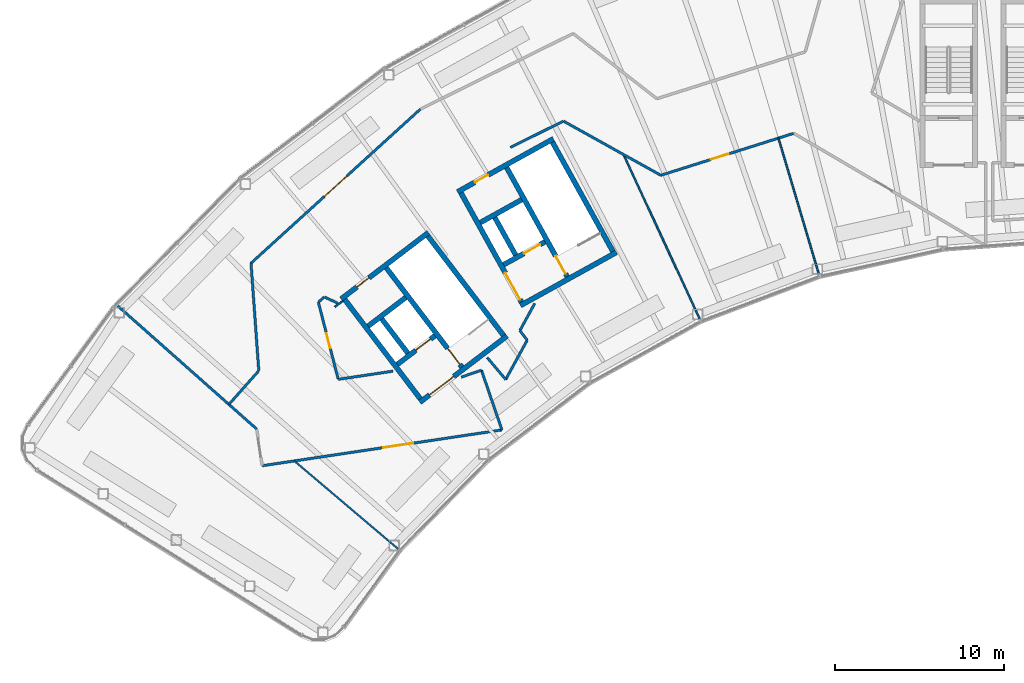
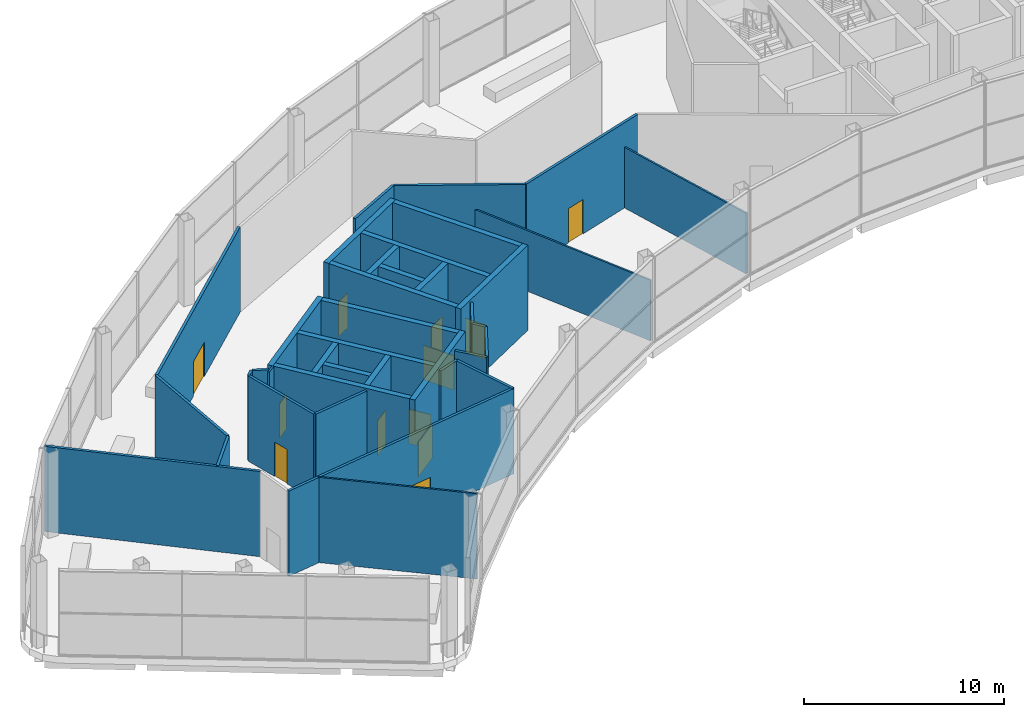
# One storey, part 37 of 44: 38 walls, 12 doors, 12 openings.
"""IFC4 building model written with IfcOpenShell, lengths in metres."""

from ifc_helpers import new_model, si_unit, direction, frame, frame_2d, origin, place, context, subcontext, project, spatial, rectangle, extrude, material, layer, layer_set, type_object, element, fill, save


model = new_model("IFC4")

# Units and contexts
model_context = context("Model", 3, precision=1e-05, world=origin(), true_north=direction((0.0, 1.0)))
body_context = subcontext(model_context, "Body", "Model", "MODEL_VIEW")
ifc_project = project(units=[si_unit("LENGTHUNIT", "METRE"), si_unit("AREAUNIT", "SQUARE_METRE"), si_unit("VOLUMEUNIT", "CUBIC_METRE"), si_unit("PLANEANGLEUNIT", "RADIAN"), si_unit("MASSUNIT", "GRAM", prefix="KILO")], contexts=[model_context])

# Site, building, storey
site_placement = place(None, origin())
site = spatial("IfcSite", under=ifc_project, at=site_placement, CompositionType="ELEMENT")
building_placement = place(site_placement, origin())
building = spatial("IfcBuilding", under=site, at=building_placement, Name="Tuul Gate Civic Tower", CompositionType="ELEMENT")
storey_placement = place(building_placement, frame((0.0, 0.0, 354.60009765625)))
storey = spatial("IfcBuildingStorey", under=building, at=storey_placement, Name="Observation level 2", CompositionType="ELEMENT", Elevation=354.60009765625)

# Wall, opening, door
ifc_material_1 = material(Name="Concrete C50/60", Category="concrete")
ifc_layer_1 = layer(ifc_material_1, 0.300048828125)
ifc_layer_set_1 = layer_set([ifc_layer_1], Name="Concrete C50/60")
wall_type_1 = type_object("IfcWallType", Name="Core wall C50/60", PredefinedType="SHEAR", material=ifc_layer_set_1)
wall_1_placement = place(storey_placement, frame((-31.19091796875, -13.669677734375, 0.0), z_axis=(0.0, 0.0, 1.0), x_axis=(-0.795606717756, -0.605813461934, 0.0)))
wall_1 = element("IfcWall", 1, at=wall_1_placement, inside=storey, type_object=wall_type_1, Name="Core wall", PredefinedType="SHEAR", context=body_context, shape_type="SweptSolid", body=[
    extrude(rectangle(XDim=6.5, YDim=0.300048828125, at=frame_2d((3.25, 0.0))), origin(), (0.0, 0.0, 1.0), 5.199951171875),
])
opening_1_placement = place(wall_1_placement, frame((3.97509765625, 0.0, 0.0)))
opening_1 = element("IfcOpeningElement", 2, at=opening_1_placement, cuts=wall_1, Name="Opening LB-W1-LOBBY-1", PredefinedType="OPENING", context=body_context, shape_type="SweptSolid", body=[
    extrude(rectangle(XDim=1.800048828125, YDim=2.10009765625, at=frame_2d((0.89990234375, 1.050048828125))), frame((0.0, 0.16015625, 0.0), z_axis=(0.0, -1.0, 0.0), x_axis=(1.0, 0.0, 0.0)), (0.0, 0.0, 1.0), 0.320068359375),
])
ifc_material_2 = material(Name="Steel", Category="steel")
door_type_1 = type_object("IfcDoorType", Name="Lobby door", OperationType="DOUBLE_DOOR_SINGLE_SWING", PredefinedType="DOOR", material=ifc_material_2)
door_1_placement = place(opening_1_placement, origin())
door_1 = element("IfcDoor", 3, at=door_1_placement, inside=storey, type_object=door_type_1, Name="Lobby door W1-LOBBY", OperationType="DOUBLE_DOOR_SINGLE_SWING", OverallHeight=2.10009765625, OverallWidth=1.800048828125, PredefinedType="DOOR", context=body_context, shape_type="SweptSolid", body=[
    extrude(rectangle(XDim=1.800048828125, YDim=2.10009765625, at=frame_2d((0.89990234375, 1.050048828125))), frame((0.0, 0.02490234375, 0.0), z_axis=(0.0, -1.0, 0.0), x_axis=(1.0, 0.0, 0.0)), (0.0, 0.0, 1.0), 0.050048828125),
])
fill(opening_1, door_1)

wall_2_placement = place(storey_placement, frame((-35.470947265625, -13.66064453125, 0.0), z_axis=(0.0, 0.0, 1.0), x_axis=(-0.795615822227, -0.605801504968, 0.0)))
wall_2 = element("IfcWall", 4, at=wall_2_placement, inside=storey, type_object=wall_type_1, Name="Core wall", PredefinedType="SHEAR", context=body_context, shape_type="SweptSolid", body=[
    extrude(rectangle(XDim=2.800048828125, YDim=0.300048828125, at=frame_2d((1.39990234375, 0.0))), origin(), (0.0, 0.0, 1.0), 5.199951171875),
])
opening_2_placement = place(wall_2_placement, frame((0.324951171875, 0.0, 0.0)))
opening_2 = element("IfcOpeningElement", 5, at=opening_2_placement, cuts=wall_2, Name="Opening LD-H1", PredefinedType="OPENING", context=body_context, shape_type="SweptSolid", body=[
    extrude(rectangle(XDim=1.10009765625, YDim=2.10009765625, at=frame_2d((0.550048828125, 1.050048828125))), frame((0.0, 0.16015625, 0.0), z_axis=(0.0, -1.0, 0.0), x_axis=(1.0, 0.0, 0.0)), (0.0, 0.0, 1.0), 0.320068359375),
])
ifc_material_3 = material(Name="Stainless steel", Category="steel")
door_type_2 = type_object("IfcDoorType", Name="Landing door", OperationType="DOUBLE_DOOR_SLIDING", PredefinedType="DOOR", material=ifc_material_3)
door_2_placement = place(opening_2_placement, origin())
door_2 = element("IfcDoor", 6, at=door_2_placement, inside=storey, type_object=door_type_2, Name="High-rise lift H1 landing door", OperationType="DOUBLE_DOOR_SLIDING", OverallHeight=2.10009765625, OverallWidth=1.10009765625, PredefinedType="DOOR", context=body_context, shape_type="SweptSolid", body=[
    extrude(rectangle(XDim=1.10009765625, YDim=2.10009765625, at=frame_2d((0.550048828125, 1.050048828125))), frame((0.0, 0.02490234375, 0.0), z_axis=(0.0, -1.0, 0.0), x_axis=(1.0, 0.0, 0.0)), (0.0, 0.0, 1.0), 0.050048828125),
])
fill(opening_2, door_2)

# Wall
wall_3_placement = place(storey_placement, frame((-37.197509765625, -11.39306640625, 0.0), z_axis=(0.0, 0.0, 1.0), x_axis=(-0.795583820278, -0.605843531707, 0.0)))
element("IfcWall", 7, at=wall_3_placement, inside=storey, type_object=wall_type_1, Name="Core wall", PredefinedType="SHEAR", context=body_context, shape_type="SweptSolid", body=[
    extrude(rectangle(XDim=2.7998046875, YDim=0.300048828125, at=frame_2d((1.39990234375, 0.0))), origin(), (0.0, 0.0, 1.0), 5.199951171875),
])

# Wall, opening, door
wall_4_placement = place(storey_placement, frame((-35.855224609375, -7.543212890625, 0.0), z_axis=(0.0, 0.0, 1.0), x_axis=(-0.79563860527, -0.605771582202, 0.0)))
wall_4 = element("IfcWall", 8, at=wall_4_placement, inside=storey, type_object=wall_type_1, Name="Core wall", PredefinedType="SHEAR", context=body_context, shape_type="SweptSolid", body=[
    extrude(rectangle(XDim=6.5, YDim=0.300048828125, at=frame_2d((3.25, 0.0))), origin(), (0.0, 0.0, 1.0), 5.199951171875),
])
opening_3_placement = place(wall_4_placement, frame((4.425048828125, 0.0, 0.0)))
opening_3 = element("IfcOpeningElement", 9, at=opening_3_placement, cuts=wall_4, Name="Opening AE-D14", PredefinedType="OPENING", context=body_context, shape_type="SweptSolid", body=[
    extrude(rectangle(XDim=0.89990234375, YDim=2.10009765625, at=frame_2d((0.449951171875, 1.050048828125))), frame((0.0, 0.16015625, 0.0), z_axis=(0.0, -1.0, 0.0), x_axis=(1.0, 0.0, 0.0)), (0.0, 0.0, 1.0), 0.320068359375),
])
ifc_material_4 = material(Name="Timber door leaf", Category="wood")
door_type_3 = type_object("IfcDoorType", Name="Door D09", OperationType="NOTDEFINED", PredefinedType="DOOR", material=ifc_material_4)
door_3_placement = place(opening_3_placement, origin())
door_3 = element("IfcDoor", 10, at=door_3_placement, inside=storey, type_object=door_type_3, Name="Door AE-D14", OperationType="SINGLE_SWING_RIGHT", OverallHeight=2.10009765625, OverallWidth=0.89990234375, PredefinedType="DOOR", context=body_context, shape_type="SweptSolid", body=[
    extrude(rectangle(XDim=0.89990234375, YDim=2.10009765625, at=frame_2d((0.449951171875, 1.050048828125))), frame((0.0, 0.02490234375, 0.0), z_axis=(0.0, -1.0, 0.0), x_axis=(1.0, 0.0, 0.0)), (0.0, 0.0, 1.0), 0.050048828125),
])
fill(opening_3, door_3)

# Wall
wall_5_placement = place(storey_placement, frame((-31.401123046875, -13.64111328125, 0.0), z_axis=(0.0, 0.0, 1.0), x_axis=(-0.605769822278, 0.795639945213, 0.0)))
element("IfcWall", 11, at=wall_5_placement, inside=storey, type_object=wall_type_1, Name="Core wall", PredefinedType="SHEAR", context=body_context, shape_type="SweptSolid", body=[
    extrude(rectangle(XDim=7.39990234375, YDim=0.300048828125, at=frame_2d((3.699951171875, 0.0))), origin(), (0.0, 0.0, 1.0), 5.199951171875),
])

# Wall, opening, door
wall_6_placement = place(storey_placement, frame((-33.867431640625, -15.51904296875, 0.0), z_axis=(0.0, 0.0, 1.0), x_axis=(-0.605769822278, 0.795639945213, 0.0)))
wall_6 = element("IfcWall", 12, at=wall_6_placement, inside=storey, type_object=wall_type_1, Name="Core wall", PredefinedType="SHEAR", context=body_context, shape_type="SweptSolid", body=[
    extrude(rectangle(XDim=7.39990234375, YDim=0.300048828125, at=frame_2d((3.699951171875, 0.0))), origin(), (0.0, 0.0, 1.0), 5.199951171875),
])
opening_4_placement = place(wall_6_placement, frame((0.199951171875, 0.0, 0.0)))
opening_4 = element("IfcOpeningElement", 13, at=opening_4_placement, cuts=wall_6, Name="Opening SD-ST-1", PredefinedType="OPENING", context=body_context, shape_type="SweptSolid", body=[
    extrude(rectangle(XDim=1.199951171875, YDim=2.10009765625, at=frame_2d((0.60009765625, 1.050048828125))), frame((0.0, 0.16015625, 0.0), z_axis=(0.0, -1.0, 0.0), x_axis=(1.0, 0.0, 0.0)), (0.0, 0.0, 1.0), 0.320068359375),
])
ifc_material_5 = material(Name="Steel", Category="steel")
door_type_4 = type_object("IfcDoorType", Name="Stair door", OperationType="NOTDEFINED", PredefinedType="DOOR", material=ifc_material_5)
door_4_placement = place(opening_4_placement, frame((1.199951171875, 0.0, 0.0), z_axis=(0.0, 0.0, 1.0), x_axis=(-1.0, 0.0, 0.0)))
door_4 = element("IfcDoor", 14, at=door_4_placement, inside=storey, type_object=door_type_4, Name="Stair door ST-1", OperationType="SINGLE_SWING_RIGHT", OverallHeight=2.10009765625, OverallWidth=1.199951171875, PredefinedType="DOOR", context=body_context, shape_type="SweptSolid", body=[
    extrude(rectangle(XDim=1.199951171875, YDim=2.10009765625, at=frame_2d((0.599853515625, 1.050048828125))), frame((0.0, 0.02490234375, 0.0), z_axis=(0.0, -1.0, 0.0), x_axis=(1.0, 0.0, 0.0)), (0.0, 0.0, 1.0), 0.050048828125),
])
fill(opening_4, door_4)

# Walls
wall_7_placement = place(storey_placement, frame((-37.073486328125, -14.6923828125, 0.0), z_axis=(0.0, 0.0, 1.0), x_axis=(-0.605728760074, 0.79567120673, 0.0)))
element("IfcWall", 15, at=wall_7_placement, inside=storey, type_object=wall_type_1, Name="Core wall", PredefinedType="SHEAR", context=body_context, shape_type="SweptSolid", body=[
    extrude(rectangle(XDim=2.550048828125, YDim=0.300048828125, at=frame_2d((1.27490234375, 0.0))), origin(), (0.0, 0.0, 1.0), 5.199951171875),
])
wall_8_placement = place(storey_placement, frame((-36.333984375, -17.397216796875, 0.0), z_axis=(0.0, 0.0, 1.0), x_axis=(-0.605753921168, 0.795652051458, 0.0)))
element("IfcWall", 16, at=wall_8_placement, inside=storey, type_object=wall_type_1, Name="Core wall", PredefinedType="SHEAR", context=body_context, shape_type="SweptSolid", body=[
    extrude(rectangle(XDim=7.400146484375, YDim=0.300048828125, at=frame_2d((3.7001953125, 0.0))), origin(), (0.0, 0.0, 1.0), 5.199951171875),
])
wall_9_placement = place(storey_placement, frame((-24.711669921875, -8.7158203125, 0.0), z_axis=(0.0, 0.0, 1.0), x_axis=(-0.874629909008, -0.484791215132, 0.0)))
element("IfcWall", 17, at=wall_9_placement, inside=storey, type_object=wall_type_1, Name="Core wall", PredefinedType="SHEAR", context=body_context, shape_type="SweptSolid", body=[
    extrude(rectangle(XDim=6.5, YDim=0.300048828125, at=frame_2d((3.25, 0.0))), origin(), (0.0, 0.0, 1.0), 5.199951171875),
])

# Wall, opening, door
wall_10_placement = place(storey_placement, frame((-28.94580078125, -8.090087890625, 0.0), z_axis=(0.0, 0.0, 1.0), x_axis=(-0.874629840737, -0.484791338301, 0.0)))
wall_10 = element("IfcWall", 18, at=wall_10_placement, inside=storey, type_object=wall_type_1, Name="Core wall", PredefinedType="SHEAR", context=body_context, shape_type="SweptSolid", body=[
    extrude(rectangle(XDim=2.800048828125, YDim=0.300048828125, at=frame_2d((1.39990234375, 0.0))), origin(), (0.0, 0.0, 1.0), 5.199951171875),
])
opening_5_placement = place(wall_10_placement, frame((0.324951171875, 0.0, 0.0)))
opening_5 = element("IfcOpeningElement", 19, at=opening_5_placement, cuts=wall_10, Name="Opening LD-FF-1", PredefinedType="OPENING", context=body_context, shape_type="SweptSolid", body=[
    extrude(rectangle(XDim=1.10009765625, YDim=2.10009765625, at=frame_2d((0.550048828125, 1.050048828125))), frame((0.0, 0.16015625, 0.0), z_axis=(0.0, -1.0, 0.0), x_axis=(1.0, 0.0, 0.0)), (0.0, 0.0, 1.0), 0.320068359375),
])
door_5_placement = place(opening_5_placement, origin())
door_5 = element("IfcDoor", 20, at=door_5_placement, inside=storey, type_object=door_type_2, Name="Fire-fighting lift FF-1 landing door", OperationType="DOUBLE_DOOR_SLIDING", OverallHeight=2.10009765625, OverallWidth=1.10009765625, PredefinedType="DOOR", context=body_context, shape_type="SweptSolid", body=[
    extrude(rectangle(XDim=1.10009765625, YDim=2.10009765625, at=frame_2d((0.550048828125, 1.050048828125))), frame((0.0, 0.02490234375, 0.0), z_axis=(0.0, -1.0, 0.0), x_axis=(1.0, 0.0, 0.0)), (0.0, 0.0, 1.0), 0.050048828125),
])
fill(opening_5, door_5)

# Wall
wall_11_placement = place(storey_placement, frame((-30.327392578125, -5.59716796875, 0.0), z_axis=(0.0, 0.0, 1.0), x_axis=(-0.874629840737, -0.484791338301, 0.0)))
element("IfcWall", 21, at=wall_11_placement, inside=storey, type_object=wall_type_1, Name="Core wall", PredefinedType="SHEAR", context=body_context, shape_type="SweptSolid", body=[
    extrude(rectangle(XDim=2.800048828125, YDim=0.300048828125, at=frame_2d((1.39990234375, 0.0))), origin(), (0.0, 0.0, 1.0), 5.199951171875),
])

# Wall, opening, door
wall_12_placement = place(storey_placement, frame((-28.4443359375, -1.98095703125, 0.0), z_axis=(0.0, 0.0, 1.0), x_axis=(-0.874629909008, -0.484791215132, 0.0)))
wall_12 = element("IfcWall", 22, at=wall_12_placement, inside=storey, type_object=wall_type_1, Name="Core wall", PredefinedType="SHEAR", context=body_context, shape_type="SweptSolid", body=[
    extrude(rectangle(XDim=6.5, YDim=0.300048828125, at=frame_2d((3.25, 0.0))), origin(), (0.0, 0.0, 1.0), 5.199951171875),
])
opening_6_placement = place(wall_12_placement, frame((4.425048828125, 0.0, 0.0)))
opening_6 = element("IfcOpeningElement", 23, at=opening_6_placement, cuts=wall_12, Name="Opening AE-D15", PredefinedType="OPENING", context=body_context, shape_type="SweptSolid", body=[
    extrude(rectangle(XDim=0.89990234375, YDim=2.10009765625, at=frame_2d((0.449951171875, 1.050048828125))), frame((0.0, 0.16015625, 0.0), z_axis=(0.0, -1.0, 0.0), x_axis=(1.0, 0.0, 0.0)), (0.0, 0.0, 1.0), 0.320068359375),
])
door_6_placement = place(opening_6_placement, origin())
door_6 = element("IfcDoor", 24, at=door_6_placement, inside=storey, type_object=door_type_3, Name="Door AE-D15", OperationType="SINGLE_SWING_LEFT", OverallHeight=2.10009765625, OverallWidth=0.89990234375, PredefinedType="DOOR", context=body_context, shape_type="SweptSolid", body=[
    extrude(rectangle(XDim=0.89990234375, YDim=2.10009765625, at=frame_2d((0.449951171875, 1.050048828125))), frame((0.0, 0.02490234375, 0.0), z_axis=(0.0, -1.0, 0.0), x_axis=(1.0, 0.0, 0.0)), (0.0, 0.0, 1.0), 0.050048828125),
])
fill(opening_6, door_6)

# Wall
wall_13_placement = place(storey_placement, frame((-24.91552734375, -8.6572265625, 0.0), z_axis=(0.0, 0.0, 1.0), x_axis=(-0.484777133038, 0.874637714304, 0.0)))
element("IfcWall", 25, at=wall_13_placement, inside=storey, type_object=wall_type_1, Name="Core wall", PredefinedType="SHEAR", context=body_context, shape_type="SweptSolid", body=[
    extrude(rectangle(XDim=7.400146484375, YDim=0.300048828125, at=frame_2d((3.7001953125, 0.0))), origin(), (0.0, 0.0, 1.0), 5.199951171875),
])

# Wall, opening, door
wall_14_placement = place(storey_placement, frame((-27.626953125, -10.16015625, 0.0), z_axis=(0.0, 0.0, 1.0), x_axis=(-0.484751894226, 0.874651702704, 0.0)))
wall_14 = element("IfcWall", 26, at=wall_14_placement, inside=storey, type_object=wall_type_1, Name="Core wall", PredefinedType="SHEAR", context=body_context, shape_type="SweptSolid", body=[
    extrude(rectangle(XDim=7.39990234375, YDim=0.300048828125, at=frame_2d((3.699951171875, 0.0))), origin(), (0.0, 0.0, 1.0), 5.199951171875),
])
opening_7_placement = place(wall_14_placement, frame((0.199951171875, 0.0, 0.0)))
opening_7 = element("IfcOpeningElement", 27, at=opening_7_placement, cuts=wall_14, Name="Opening SD-ST-2", PredefinedType="OPENING", context=body_context, shape_type="SweptSolid", body=[
    extrude(rectangle(XDim=1.199951171875, YDim=2.10009765625, at=frame_2d((0.60009765625, 1.050048828125))), frame((0.0, 0.16015625, 0.0), z_axis=(0.0, -1.0, 0.0), x_axis=(1.0, 0.0, 0.0)), (0.0, 0.0, 1.0), 0.320068359375),
])
door_7_placement = place(opening_7_placement, frame((1.199951171875, 0.0, 0.0), z_axis=(0.0, 0.0, 1.0), x_axis=(-1.0, 0.0, 0.0)))
door_7 = element("IfcDoor", 28, at=door_7_placement, inside=storey, type_object=door_type_4, Name="Stair door ST-2", OperationType="SINGLE_SWING_RIGHT", OverallHeight=2.10009765625, OverallWidth=1.199951171875, PredefinedType="DOOR", context=body_context, shape_type="SweptSolid", body=[
    extrude(rectangle(XDim=1.199951171875, YDim=2.10009765625, at=frame_2d((0.599853515625, 1.050048828125))), frame((0.0, 0.02490234375, 0.0), z_axis=(0.0, -1.0, 0.0), x_axis=(1.0, 0.0, 0.0)), (0.0, 0.0, 1.0), 0.050048828125),
])
fill(opening_7, door_7)

# Wall
wall_15_placement = place(storey_placement, frame((-30.680419921875, -8.8798828125, 0.0), z_axis=(0.0, 0.0, 1.0), x_axis=(-0.484724115216, 0.874667097888, 0.0)))
element("IfcWall", 29, at=wall_15_placement, inside=storey, type_object=wall_type_1, Name="Core wall", PredefinedType="SHEAR", context=body_context, shape_type="SweptSolid", body=[
    extrude(rectangle(XDim=2.550048828125, YDim=0.300048828125, at=frame_2d((1.27490234375, 0.0))), origin(), (0.0, 0.0, 1.0), 5.199951171875),
])

# Wall, opening, door
wall_16_placement = place(storey_placement, frame((-30.33837890625, -11.6630859375, 0.0), z_axis=(0.0, 0.0, 1.0), x_axis=(-0.484751894226, 0.874651702704, 0.0)))
wall_16 = element("IfcWall", 30, at=wall_16_placement, inside=storey, type_object=wall_type_1, Name="Core wall", PredefinedType="SHEAR", context=body_context, shape_type="SweptSolid", body=[
    extrude(rectangle(XDim=7.39990234375, YDim=0.300048828125, at=frame_2d((3.699951171875, 0.0))), origin(), (0.0, 0.0, 1.0), 5.199951171875),
])
opening_8_placement = place(wall_16_placement, frame((0.175048828125, 0.0, 0.0)))
opening_8 = element("IfcOpeningElement", 31, at=opening_8_placement, cuts=wall_16, Name="Opening LB-W2-FLOBBY-1", PredefinedType="OPENING", context=body_context, shape_type="SweptSolid", body=[
    extrude(rectangle(XDim=1.800048828125, YDim=2.10009765625, at=frame_2d((0.89990234375, 1.050048828125))), frame((0.0, 0.16015625, 0.0), z_axis=(0.0, -1.0, 0.0), x_axis=(1.0, 0.0, 0.0)), (0.0, 0.0, 1.0), 0.320068359375),
])
door_8_placement = place(opening_8_placement, frame((1.800048828125, 0.0, 0.0), z_axis=(0.0, 0.0, 1.0), x_axis=(-1.0, 0.0, 0.0)))
door_8 = element("IfcDoor", 32, at=door_8_placement, inside=storey, type_object=door_type_1, Name="Lobby door W2-FLOBBY", OperationType="DOUBLE_DOOR_SINGLE_SWING", OverallHeight=2.10009765625, OverallWidth=1.800048828125, PredefinedType="DOOR", context=body_context, shape_type="SweptSolid", body=[
    extrude(rectangle(XDim=1.800048828125, YDim=2.10009765625, at=frame_2d((0.900146484375, 1.050048828125))), frame((0.0, 0.02490234375, 0.0), z_axis=(0.0, -1.0, 0.0), x_axis=(1.0, 0.0, 0.0)), (0.0, 0.0, 1.0), 0.050048828125),
])
fill(opening_8, door_8)

ifc_material_6 = material(Name="Gypsum board partition")
ifc_layer_2 = layer(ifc_material_6, 0.14990234375)
ifc_layer_set_2 = layer_set([ifc_layer_2], Name="Gypsum board partition")
wall_type_2 = type_object("IfcWallType", Name="Corridor wall P150", PredefinedType="PARTITIONING", material=ifc_layer_set_2)
wall_17_placement = place(storey_placement, frame((-46.37060546875, -9.356689453125, 0.0), z_axis=(0.0, 0.0, 1.0), x_axis=(0.739735592783, 0.672897654008, 0.0)))
wall_17 = element("IfcWall", 33, at=wall_17_placement, inside=storey, type_object=wall_type_2, Name="p028", PredefinedType="PARTITIONING", context=body_context, shape_type="SweptSolid", body=[
    extrude(rectangle(XDim=13.5625, YDim=0.14990234375, at=frame_2d((6.78125, 0.0))), origin(), (0.0, 0.0, 1.0), 5.199951171875),
])
opening_9_placement = place(wall_17_placement, frame((5.88134765625, 0.0, 0.0)))
opening_9 = element("IfcOpeningElement", 34, at=opening_9_placement, cuts=wall_17, Name="Opening AE-D04", PredefinedType="OPENING", context=body_context, shape_type="SweptSolid", body=[
    extrude(rectangle(XDim=1.800048828125, YDim=2.10009765625, at=frame_2d((0.89990234375, 1.050048828125))), frame((0.0, 0.0849609375, 0.0), z_axis=(0.0, -1.0, 0.0), x_axis=(1.0, 0.0, 0.0)), (0.0, 0.0, 1.0), 0.169921875),
])
ifc_material_7 = material(Name="Timber door leaf, double", Category="wood")
door_type_5 = type_object("IfcDoorType", Name="Door D18", OperationType="DOUBLE_DOOR_SINGLE_SWING", PredefinedType="DOOR", material=ifc_material_7)
door_9_placement = place(opening_9_placement, origin())
door_9 = element("IfcDoor", 35, at=door_9_placement, inside=storey, type_object=door_type_5, Name="Door AE-D04", OperationType="DOUBLE_DOOR_SINGLE_SWING", OverallHeight=2.10009765625, OverallWidth=1.800048828125, PredefinedType="DOOR", context=body_context, shape_type="SweptSolid", body=[
    extrude(rectangle(XDim=1.800048828125, YDim=2.10009765625, at=frame_2d((0.89990234375, 1.050048828125))), frame((0.0, 0.02490234375, 0.0), z_axis=(0.0, -1.0, 0.0), x_axis=(1.0, 0.0, 0.0)), (0.0, 0.0, 1.0), 0.050048828125),
])
fill(opening_9, door_9)

# Walls
wall_18_placement = place(storey_placement, frame((-46.37109375, -9.358154296875, 0.0), z_axis=(0.0, 0.0, 1.0), x_axis=(0.071877389365, -0.997413475394, 0.0)))
element("IfcWall", 36, at=wall_18_placement, inside=storey, type_object=wall_type_2, Name="p029", PredefinedType="PARTITIONING", context=body_context, shape_type="SweptSolid", body=[
    extrude(rectangle(XDim=6.3857421875, YDim=0.14990234375, at=frame_2d((3.19287109375, 0.0))), origin(), (0.0, 0.0, 1.0), 5.199951171875),
])
wall_19_placement = place(storey_placement, frame((-47.6806640625, -17.73291015625, 0.0), z_axis=(0.0, 0.0, 1.0), x_axis=(0.663166084863, 0.748472273292, 0.0)))
element("IfcWall", 37, at=wall_19_placement, inside=storey, type_object=wall_type_2, Name="p030", PredefinedType="PARTITIONING", context=body_context, shape_type="SweptSolid", body=[
    extrude(rectangle(XDim=2.65869140625, YDim=0.14990234375, at=frame_2d((1.329345703125, 0.0))), origin(), (0.0, 0.0, 1.0), 5.199951171875),
])
wall_20_placement = place(storey_placement, frame((-54.2724609375, -11.8935546875, 0.0), z_axis=(0.0, 0.0, 1.0), x_axis=(0.748484626915, -0.663152141874, 0.0)))
element("IfcWall", 38, at=wall_20_placement, inside=storey, type_object=wall_type_2, Name="p031", PredefinedType="PARTITIONING", context=body_context, shape_type="SweptSolid", body=[
    extrude(rectangle(XDim=11.000732421875, YDim=0.14990234375, at=frame_2d((5.50048828125, 0.0))), origin(), (0.0, 0.0, 1.0), 5.199951171875),
])

# Wall, opening, door
wall_21_placement = place(storey_placement, frame((-45.70849609375, -21.367919921875, 0.0), z_axis=(0.0, 0.0, 1.0), x_axis=(0.989009132058, 0.147854444324, 0.0)))
wall_21 = element("IfcWall", 39, at=wall_21_placement, inside=storey, type_object=wall_type_2, Name="p034", PredefinedType="PARTITIONING", context=body_context, shape_type="SweptSolid", body=[
    extrude(rectangle(XDim=14.37060546875, YDim=0.14990234375, at=frame_2d((7.185302734375, 0.0))), origin(), (0.0, 0.0, 1.0), 5.199951171875),
])
opening_10_placement = place(wall_21_placement, frame((7.248291015625, 0.0, 0.0)))
opening_10 = element("IfcOpeningElement", 40, at=opening_10_placement, cuts=wall_21, Name="Opening AE-D10", PredefinedType="OPENING", context=body_context, shape_type="SweptSolid", body=[
    extrude(rectangle(XDim=1.800048828125, YDim=2.10009765625, at=frame_2d((0.89990234375, 1.050048828125))), frame((0.0, 0.0849609375, 0.0), z_axis=(0.0, -1.0, 0.0), x_axis=(1.0, 0.0, 0.0)), (0.0, 0.0, 1.0), 0.169921875),
])
door_10_placement = place(opening_10_placement, frame((1.800048828125, 0.0, 0.0), z_axis=(0.0, 0.0, 1.0), x_axis=(-1.0, 0.0, 0.0)))
door_10 = element("IfcDoor", 41, at=door_10_placement, inside=storey, type_object=door_type_5, Name="Door AE-D10", OperationType="DOUBLE_DOOR_SINGLE_SWING", OverallHeight=2.10009765625, OverallWidth=1.800048828125, PredefinedType="DOOR", context=body_context, shape_type="SweptSolid", body=[
    extrude(rectangle(XDim=1.800048828125, YDim=2.10009765625, at=frame_2d((0.900146484375, 1.050048828125))), frame((0.0, 0.02490234375, 0.0), z_axis=(0.0, -1.0, 0.0), x_axis=(1.0, 0.0, 0.0)), (0.0, 0.0, 1.0), 0.050048828125),
])
fill(opening_10, door_10)

wall_22_placement = place(storey_placement, frame((-22.072998046875, -4.14794921875, 0.0), z_axis=(0.0, 0.0, 1.0), x_axis=(0.95351691098, 0.301339510312, 0.0)))
wall_22 = element("IfcWall", 42, at=wall_22_placement, inside=storey, type_object=wall_type_2, Name="p061", PredefinedType="PARTITIONING", context=body_context, shape_type="SweptSolid", body=[
    extrude(rectangle(XDim=8.251708984375, YDim=0.14990234375, at=frame_2d((4.1259765625, 0.0))), origin(), (0.0, 0.0, 1.0), 5.199951171875),
])
opening_11_placement = place(wall_22_placement, frame((3.104248046875, 0.0, 0.0)))
opening_11 = element("IfcOpeningElement", 43, at=opening_11_placement, cuts=wall_22, Name="Opening AE-D09", PredefinedType="OPENING", context=body_context, shape_type="SweptSolid", body=[
    extrude(rectangle(XDim=1.10009765625, YDim=2.10009765625, at=frame_2d((0.550048828125, 1.050048828125))), frame((0.0, 0.0849609375, 0.0), z_axis=(0.0, -1.0, 0.0), x_axis=(1.0, 0.0, 0.0)), (0.0, 0.0, 1.0), 0.169921875),
])
ifc_material_8 = material(Name="Timber door leaf", Category="wood")
door_type_6 = type_object("IfcDoorType", Name="Door D11", OperationType="NOTDEFINED", PredefinedType="DOOR", material=ifc_material_8)
door_11_placement = place(opening_11_placement, frame((1.10009765625, 0.0, 0.0), z_axis=(0.0, 0.0, 1.0), x_axis=(-1.0, 0.0, 0.0)))
door_11 = element("IfcDoor", 44, at=door_11_placement, inside=storey, type_object=door_type_6, Name="Door AE-D09", OperationType="SINGLE_SWING_LEFT", OverallHeight=2.10009765625, OverallWidth=1.10009765625, PredefinedType="DOOR", context=body_context, shape_type="SweptSolid", body=[
    extrude(rectangle(XDim=1.10009765625, YDim=2.10009765625, at=frame_2d((0.550048828125, 1.050048828125))), frame((0.0, 0.02490234375, 0.0), z_axis=(0.0, -1.0, 0.0), x_axis=(1.0, 0.0, 0.0)), (0.0, 0.0, 1.0), 0.050048828125),
])
fill(opening_11, door_11)

# Walls
wall_23_placement = place(storey_placement, frame((-27.836181640625, -0.940185546875, 0.0), z_axis=(0.0, 0.0, 1.0), x_axis=(0.873734328188, -0.486403457785, 0.0)))
element("IfcWall", 45, at=wall_23_placement, inside=storey, type_object=wall_type_2, Name="p064", PredefinedType="PARTITIONING", context=body_context, shape_type="SweptSolid", body=[
    extrude(rectangle(XDim=6.59423828125, YDim=0.14990234375, at=frame_2d((3.297119140625, 0.0))), origin(), (0.0, 0.0, 1.0), 5.199951171875),
])
wall_24_placement = place(storey_placement, frame((-32.7099609375, -15.70361328125, 0.0), z_axis=(0.0, 0.0, 1.0), x_axis=(0.324456095006, -0.945900757169, 0.0)))
element("IfcWall", 46, at=wall_24_placement, inside=storey, type_object=wall_type_2, Name="p065", PredefinedType="PARTITIONING", context=body_context, shape_type="SweptSolid", body=[
    extrude(rectangle(XDim=3.741943359375, YDim=0.14990234375, at=frame_2d((1.87109375, 0.0))), origin(), (0.0, 0.0, 1.0), 5.199951171875),
])
wall_25_placement = place(storey_placement, frame((-33.906494140625, -16.1142578125, 0.0), z_axis=(0.0, 0.0, 1.0), x_axis=(0.945847786092, 0.324610482801, 0.0)))
element("IfcWall", 47, at=wall_25_placement, inside=storey, type_object=wall_type_2, Name="p066", PredefinedType="PARTITIONING", context=body_context, shape_type="SweptSolid", body=[
    extrude(rectangle(XDim=1.26513671875, YDim=0.14990234375, at=frame_2d((0.632568359375, 0.0))), origin(), (0.0, 0.0, 1.0), 5.199951171875),
])
wall_26_placement = place(storey_placement, frame((-32.375, -14.9482421875, 0.0), z_axis=(0.0, 0.0, 1.0), x_axis=(0.645647642505, -0.763635463901, 0.0)))
element("IfcWall", 48, at=wall_26_placement, inside=storey, type_object=wall_type_2, Name="p067", PredefinedType="PARTITIONING", context=body_context, shape_type="SweptSolid", body=[
    extrude(rectangle(XDim=1.709228515625, YDim=0.14990234375, at=frame_2d((0.8544921875, 0.0))), origin(), (0.0, 0.0, 1.0), 5.199951171875),
])
wall_27_placement = place(storey_placement, frame((-31.271484375, -16.25341796875, 0.0), z_axis=(0.0, 0.0, 1.0), x_axis=(0.480056826396, 0.87723739286, 0.0)))
element("IfcWall", 49, at=wall_27_placement, inside=storey, type_object=wall_type_2, Name="p068", PredefinedType="PARTITIONING", context=body_context, shape_type="SweptSolid", body=[
    extrude(rectangle(XDim=2.654296875, YDim=0.14990234375, at=frame_2d((1.3271484375, 0.0))), origin(), (0.0, 0.0, 1.0), 5.199951171875),
])
wall_28_placement = place(storey_placement, frame((-30.431640625, -13.3544921875, 0.0), z_axis=(0.0, 0.0, 1.0), x_axis=(0.605704639541, -0.795689568638, 0.0)))
element("IfcWall", 50, at=wall_28_placement, inside=storey, type_object=wall_type_2, Name="p069", PredefinedType="PARTITIONING", context=body_context, shape_type="SweptSolid", body=[
    extrude(rectangle(XDim=0.717041015625, YDim=0.14990234375, at=frame_2d((0.3583984375, 0.0))), origin(), (0.0, 0.0, 1.0), 5.199951171875),
])
wall_29_placement = place(storey_placement, frame((-30.431640625, -13.3544921875, 0.0), z_axis=(0.0, 0.0, 1.0), x_axis=(0.479855413094, 0.877347583643, 0.0)))
element("IfcWall", 51, at=wall_29_placement, inside=storey, type_object=wall_type_2, Name="p070", PredefinedType="PARTITIONING", context=body_context, shape_type="SweptSolid", body=[
    extrude(rectangle(XDim=1.8408203125, YDim=0.14990234375, at=frame_2d((0.92041015625, 0.0))), origin(), (0.0, 0.0, 1.0), 5.199951171875),
])
wall_30_placement = place(storey_placement, frame((-30.98828125, -2.4912109375, 0.0), z_axis=(0.0, 0.0, 1.0), x_axis=(0.896124676183, 0.443802393792, 0.0)))
element("IfcWall", 52, at=wall_30_placement, inside=storey, type_object=wall_type_2, Name="p071", PredefinedType="PARTITIONING", context=body_context, shape_type="SweptSolid", body=[
    extrude(rectangle(XDim=3.495849609375, YDim=0.14990234375, at=frame_2d((1.748046875, 0.0))), origin(), (0.0, 0.0, 1.0), 5.199951171875),
])
wall_31_placement = place(storey_placement, frame((-41.18115234375, -16.2421875, 0.0), z_axis=(0.0, 0.0, 1.0), x_axis=(0.989013160189, 0.147827497352, 0.0)))
element("IfcWall", 53, at=wall_31_placement, inside=storey, type_object=wall_type_2, Name="p072", PredefinedType="PARTITIONING", context=body_context, shape_type="SweptSolid", body=[
    extrude(rectangle(XDim=3.258544921875, YDim=0.14990234375, at=frame_2d((1.62939453125, 0.0))), origin(), (0.0, 0.0, 1.0), 5.199951171875),
])

# Wall, opening, door
wall_32_placement = place(storey_placement, frame((-42.375, -11.68505859375, 0.0), z_axis=(0.0, 0.0, 1.0), x_axis=(0.249632435921, -0.968340666778, 0.0)))
wall_32 = element("IfcWall", 54, at=wall_32_placement, inside=storey, type_object=wall_type_2, Name="p073", PredefinedType="PARTITIONING", context=body_context, shape_type="SweptSolid", body=[
    extrude(rectangle(XDim=4.6904296875, YDim=0.14990234375, at=frame_2d((2.34521484375, 0.0))), origin(), (0.0, 0.0, 1.0), 5.199951171875),
])
opening_12_placement = place(wall_32_placement, frame((1.895263671875, 0.0, 0.0)))
opening_12 = element("IfcOpeningElement", 55, at=opening_12_placement, cuts=wall_32, Name="Opening AE-D11", PredefinedType="OPENING", context=body_context, shape_type="SweptSolid", body=[
    extrude(rectangle(XDim=0.89990234375, YDim=2.10009765625, at=frame_2d((0.449951171875, 1.050048828125))), frame((0.0, 0.0849609375, 0.0), z_axis=(0.0, -1.0, 0.0), x_axis=(1.0, 0.0, 0.0)), (0.0, 0.0, 1.0), 0.169921875),
])
door_12_placement = place(opening_12_placement, origin())
door_12 = element("IfcDoor", 56, at=door_12_placement, inside=storey, type_object=door_type_3, Name="Door AE-D11", OperationType="SINGLE_SWING_RIGHT", OverallHeight=2.10009765625, OverallWidth=0.89990234375, PredefinedType="DOOR", context=body_context, shape_type="SweptSolid", body=[
    extrude(rectangle(XDim=0.89990234375, YDim=2.10009765625, at=frame_2d((0.449951171875, 1.050048828125))), frame((0.0, 0.02490234375, 0.0), z_axis=(0.0, -1.0, 0.0), x_axis=(1.0, 0.0, 0.0)), (0.0, 0.0, 1.0), 0.050048828125),
])
fill(opening_12, door_12)

# Walls
wall_33_placement = place(storey_placement, frame((-42.36865234375, -11.66455078125, 0.0), z_axis=(0.0, 0.0, 1.0), x_axis=(0.739465102505, 0.673194891675, 0.0)))
element("IfcWall", 57, at=wall_33_placement, inside=storey, type_object=wall_type_2, Name="p074", PredefinedType="PARTITIONING", context=body_context, shape_type="SweptSolid", body=[
    extrude(rectangle(XDim=0.442138671875, YDim=0.14990234375, at=frame_2d((0.22119140625, 0.0))), origin(), (0.0, 0.0, 1.0), 5.199951171875),
])
wall_34_placement = place(storey_placement, frame((-42.01416015625, -11.366943359375, 0.0), z_axis=(0.0, 0.0, 1.0), x_axis=(0.908450829597, -0.417991734613, 0.0)))
element("IfcWall", 58, at=wall_34_placement, inside=storey, type_object=wall_type_2, Name="p075", PredefinedType="PARTITIONING", context=body_context, shape_type="SweptSolid", body=[
    extrude(rectangle(XDim=0.84228515625, YDim=0.14990234375, at=frame_2d((0.421142578125, 0.0))), origin(), (0.0, 0.0, 1.0), 5.199951171875),
])
ifc_material_9 = material(Name="Gypsum board partition")
ifc_layer_3 = layer(ifc_material_9, 0.10009765625)
ifc_layer_set_3 = layer_set([ifc_layer_3], Name="Gypsum board partition")
wall_type_3 = type_object("IfcWallType", Name="Partition P100", PredefinedType="PARTITIONING", material=ifc_layer_set_3)
wall_35_placement = place(storey_placement, frame((-43.8037109375, -21.083251953125, 0.0), z_axis=(0.0, 0.0, 1.0), x_axis=(0.7628350043, -0.646593192211, 0.0)))
element("IfcWall", 59, at=wall_35_placement, inside=storey, type_object=wall_type_3, Name="p022", PredefinedType="PARTITIONING", context=body_context, shape_type="SweptSolid", body=[
    extrude(rectangle(XDim=8.083984375, YDim=0.10009765625, at=frame_2d((4.0419921875, 0.0))), origin(), (0.0, 0.0, 1.0), 5.199951171875),
])
wall_36_placement = place(storey_placement, frame((-41.392578125, -11.9482421875, 0.0), z_axis=(0.0, 0.0, 1.0), x_axis=(0.795539073759, 0.605902287603, 0.0)))
element("IfcWall", 60, at=wall_36_placement, inside=storey, type_object=wall_type_3, Name="p077", PredefinedType="PARTITIONING", context=body_context, shape_type="SweptSolid", body=[
    extrude(rectangle(XDim=0.57421875, YDim=0.10009765625, at=frame_2d((0.287109375, 0.0))), origin(), (0.0, 0.0, 1.0), 5.199951171875),
])
ifc_material_10 = material(Name="Gypsum board partition")
ifc_layer_4 = layer(ifc_material_10, 0.10009765625)
ifc_layer_set_4 = layer_set([ifc_layer_4], Name="Gypsum board partition")
wall_type_4 = type_object("IfcWallType", Name="Partition P100 3700 HIGH", PredefinedType="PARTITIONING", material=ifc_layer_set_4)
wall_37_placement = place(storey_placement, frame((-15.104248046875, -1.945556640625, 0.0), z_axis=(0.0, 0.0, 1.0), x_axis=(0.285216865117, -0.958463009121, 0.0)))
element("IfcWall", 61, at=wall_37_placement, inside=storey, type_object=wall_type_4, Name="p060", PredefinedType="PARTITIONING", context=body_context, shape_type="SweptSolid", body=[
    extrude(rectangle(XDim=8.432373046875, YDim=0.10009765625, at=frame_2d((4.21630859375, 0.0))), origin(), (0.0, 0.0, 1.0), 3.699951171875),
])
wall_38_placement = place(storey_placement, frame((-24.2861328125, -2.91650390625, 0.0), z_axis=(0.0, 0.0, 1.0), x_axis=(0.420357765952, -0.907358445491, 0.0)))
element("IfcWall", 62, at=wall_38_placement, inside=storey, type_object=wall_type_4, Name="p063", PredefinedType="PARTITIONING", context=body_context, shape_type="SweptSolid", body=[
    extrude(rectangle(XDim=10.77783203125, YDim=0.10009765625, at=frame_2d((5.388916015625, 0.0))), origin(), (0.0, 0.0, 1.0), 3.699951171875),
])

save(model, "model.ifc")
